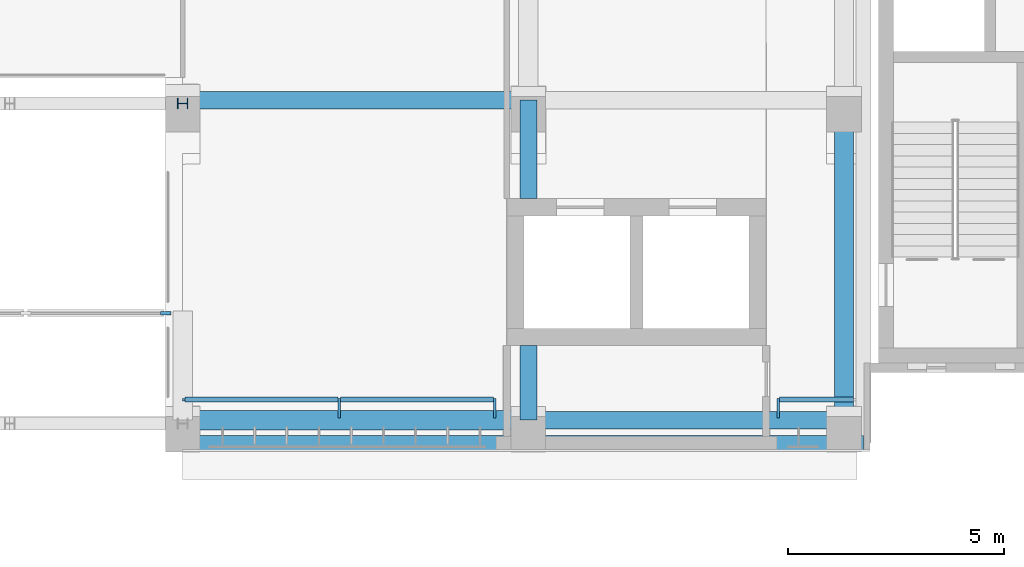
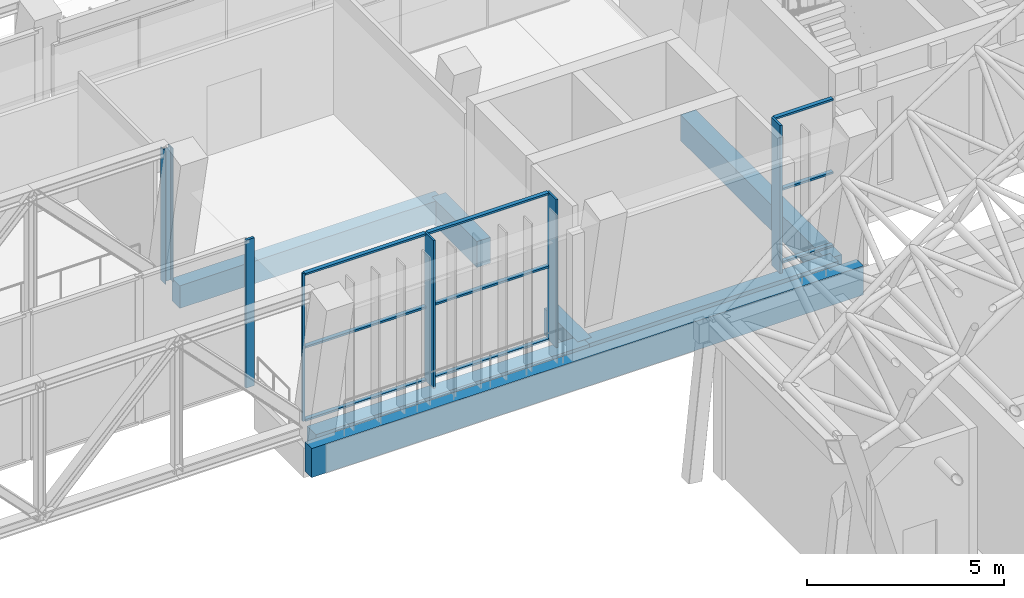
# One storey, part 54 of 141: 15 members, 7 beams, 3 elements without a shape of their own.
"""IFC4 building model written with IfcOpenShell, lengths in metres."""

from ifc_helpers import new_model, si_unit, direction, frame, origin, origin_2d, place, context, subcontext, project, spatial, rectangle, i_section, extrude, material, material_profile, profile_set, type_object, element, aggregate, save


model = new_model("IFC4")

# Units and contexts
model_context = context("Model", 3, precision=1e-05, world=origin(), true_north=direction((0.0, 1.0)))
body_context = subcontext(model_context, "Body", "Model", "MODEL_VIEW")
ifc_project = project(units=[si_unit("LENGTHUNIT", "METRE"), si_unit("AREAUNIT", "SQUARE_METRE"), si_unit("VOLUMEUNIT", "CUBIC_METRE"), si_unit("PLANEANGLEUNIT", "RADIAN"), si_unit("MASSUNIT", "GRAM", prefix="KILO")], contexts=[model_context])

# Site, building, storey
site_placement = place(None, origin())
site = spatial("IfcSite", under=ifc_project, at=site_placement, CompositionType="ELEMENT")
building_placement = place(site_placement, origin())
building = spatial("IfcBuilding", under=site, at=building_placement, Name="Lantern Court Media Centre", CompositionType="ELEMENT")
storey_placement = place(building_placement, frame((0.0, 0.0, 9.60009765625)))
storey = spatial("IfcBuildingStorey", under=building, at=storey_placement, Name="L02", CompositionType="ELEMENT", Elevation=9.60009765625)

# Curtain wall, members
ifc_material_1 = material(Name="Curtain wall bay 3000")
curtain_wall_type_1 = type_object("IfcCurtainWallType", Name="Curtain wall bay 3000", PredefinedType="NOTDEFINED", material=ifc_material_1)
curtain_wall_1_placement = place(storey_placement, origin())
curtain_wall_1 = element("IfcCurtainWall", 1, at=curtain_wall_1_placement, inside=storey, type_object=curtain_wall_type_1, Name="Curtain wall S outer L02", PredefinedType="NOTDEFINED")
ifc_material_2 = material(Name="Anodised aluminium", Category="aluminium")
ifc_material_profile_1 = material_profile(ifc_material_2, rectangle(XDim=0.449951171875, YDim=0.06005859375, at=origin_2d()), Name="AL 60x450")
ifc_profile_set_1 = profile_set([ifc_material_profile_1], Name="Anodised aluminium")
member_type_1 = type_object("IfcMemberType", Name="Curtain wall mullion 60x450", PredefinedType="MULLION", material=ifc_profile_set_1)
member_1_placement = place(storey_placement, frame((67.625, 46.955078125, 0.0), z_axis=(0.0, 0.0, 1.0), x_axis=(0.0, 1.0, 0.0)))
member_1 = element("IfcMember", 2, at=member_1_placement, type_object=member_type_1, Name="CW1 mullion 2", PredefinedType="MULLION", context=body_context, shape_type="SweptSolid", body=[
    extrude(rectangle(XDim=0.449951171875, YDim=0.06005859375, at=origin_2d()), origin(), (0.0, 0.0, 1.0), 4.579833984375),
])
member_2_placement = place(storey_placement, frame((71.219970703125, 46.955078125, 0.0), z_axis=(0.0, 0.0, 1.0), x_axis=(0.0, 1.0, 0.0)))
member_2 = element("IfcMember", 3, at=member_2_placement, type_object=member_type_1, Name="CW1 mullion 3", PredefinedType="MULLION", context=body_context, shape_type="SweptSolid", body=[
    extrude(rectangle(XDim=0.449951171875, YDim=0.06005859375, at=origin_2d()), origin(), (0.0, 0.0, 1.0), 4.579833984375),
])

# Curtain wall, member
curtain_wall_2_placement = place(storey_placement, origin())
curtain_wall_2 = element("IfcCurtainWall", 4, at=curtain_wall_2_placement, inside=storey, type_object=curtain_wall_type_1, Name="Curtain wall S outer L02", PredefinedType="NOTDEFINED")
member_3_placement = place(storey_placement, frame((77.780029296875, 46.955078125, 0.0), z_axis=(0.0, 0.0, 1.0), x_axis=(0.0, 1.0, 0.0)))
member_3 = element("IfcMember", 5, at=member_3_placement, type_object=member_type_1, Name="CW1 mullion 1", PredefinedType="MULLION", context=body_context, shape_type="SweptSolid", body=[
    extrude(rectangle(XDim=0.449951171875, YDim=0.06005859375, at=origin_2d()), origin(), (0.0, 0.0, 1.0), 4.579833984375),
])

# Member
ifc_material_profile_2 = material_profile(ifc_material_2, rectangle(XDim=0.06005859375, YDim=0.06005859375, at=origin_2d()), Name="AL 60x60")
ifc_profile_set_2 = profile_set([ifc_material_profile_2], Name="Anodised aluminium")
member_type_2 = type_object("IfcMemberType", Name="Curtain wall mullion 60x60", PredefinedType="MULLION", material=ifc_profile_set_2)
member_4_placement = place(storey_placement, frame((64.030029296875, 47.14990234375, 0.0), z_axis=(0.0, 0.0, 1.0), x_axis=(0.0, 1.0, 0.0)))
member_4 = element("IfcMember", 6, at=member_4_placement, type_object=member_type_2, Name="CW1 mullion 1", PredefinedType="MULLION", context=body_context, shape_type="SweptSolid", body=[
    extrude(rectangle(XDim=0.06005859375, YDim=0.06005859375, at=origin_2d()), origin(), (0.0, 0.0, 1.0), 4.579833984375),
])

# Curtain wall, member
ifc_material_3 = material(Name="Curtain wall bay 4000")
curtain_wall_type_2 = type_object("IfcCurtainWallType", Name="Curtain wall bay 4000", PredefinedType="NOTDEFINED", material=ifc_material_3)
curtain_wall_3_placement = place(storey_placement, origin())
curtain_wall_3 = element("IfcCurtainWall", 7, at=curtain_wall_3_placement, inside=storey, type_object=curtain_wall_type_2, Name="Curtain wall S outer L02", PredefinedType="NOTDEFINED")
ifc_material_profile_3 = material_profile(ifc_material_2, rectangle(XDim=0.080078125, YDim=0.239990234375, at=origin_2d()), Name="AL 80x240")
ifc_profile_set_3 = profile_set([ifc_material_profile_3], Name="Anodised aluminium")
member_type_3 = type_object("IfcMemberType", Name="Curtain wall mullion 80x240", PredefinedType="MULLION", material=ifc_profile_set_3)
member_5_placement = place(storey_placement, frame((63.610107421875, 49.14990234375, 0.0), z_axis=(0.0, 0.0, 1.0), x_axis=(0.0, 1.0, 0.0)))
member_5 = element("IfcMember", 8, at=member_5_placement, type_object=member_type_3, Name="CW3 mullion 3", PredefinedType="MULLION", context=body_context, shape_type="SweptSolid", body=[
    extrude(rectangle(XDim=0.080078125, YDim=0.239990234375, at=origin_2d()), origin(), (0.0, 0.0, 1.0), 4.579833984375),
])
aggregate(curtain_wall_3, [member_5])

# Member
ifc_material_profile_4 = material_profile(ifc_material_2, rectangle(XDim=0.1201171875, YDim=0.06005859375, at=origin_2d()), Name="AL 60x120")
ifc_profile_set_4 = profile_set([ifc_material_profile_4], Name="Anodised aluminium")
member_type_4 = type_object("IfcMemberType", Name="Curtain wall transom 60x120", PredefinedType="USERDEFINED", material=ifc_profile_set_4)
member_6_placement = place(storey_placement, frame((64.06005859375, 47.14990234375, 0.02978515625), z_axis=(1.0, 0.0, 0.0), x_axis=(0.0, 1.0, 0.0)))
member_6 = element("IfcMember", 9, at=member_6_placement, type_object=member_type_4, Name="CW1 transom 1.1", ObjectType="TRANSOM", PredefinedType="USERDEFINED", context=body_context, shape_type="SweptSolid", body=[
    extrude(rectangle(XDim=0.1201171875, YDim=0.06005859375, at=origin_2d()), origin(), (0.0, 0.0, 1.0), 3.534912109375),
])

member_7_placement = place(storey_placement, frame((64.06005859375, 47.14990234375, 2.289794921875), z_axis=(1.0, 0.0, 0.0), x_axis=(0.0, 1.0, 0.0)))
member_7 = element("IfcMember", 10, at=member_7_placement, type_object=member_type_4, Name="CW1 transom 1.2", ObjectType="TRANSOM", PredefinedType="USERDEFINED", context=body_context, shape_type="SweptSolid", body=[
    extrude(rectangle(XDim=0.1201171875, YDim=0.06005859375, at=origin_2d()), origin(), (0.0, 0.0, 1.0), 3.534912109375),
])

member_8_placement = place(storey_placement, frame((64.06005859375, 47.14990234375, 4.5498046875), z_axis=(1.0, 0.0, 0.0), x_axis=(0.0, 1.0, 0.0)))
member_8 = element("IfcMember", 11, at=member_8_placement, type_object=member_type_4, Name="CW1 transom 1.3", ObjectType="TRANSOM", PredefinedType="USERDEFINED", context=body_context, shape_type="SweptSolid", body=[
    extrude(rectangle(XDim=0.1201171875, YDim=0.06005859375, at=origin_2d()), origin(), (0.0, 0.0, 1.0), 3.534912109375),
])

member_9_placement = place(storey_placement, frame((67.655029296875, 47.14990234375, 0.02978515625), z_axis=(1.0, 0.0, 0.0), x_axis=(0.0, 1.0, 0.0)))
member_9 = element("IfcMember", 12, at=member_9_placement, type_object=member_type_4, Name="CW1 transom 2.1", ObjectType="TRANSOM", PredefinedType="USERDEFINED", context=body_context, shape_type="SweptSolid", body=[
    extrude(rectangle(XDim=0.1201171875, YDim=0.06005859375, at=origin_2d()), origin(), (0.0, 0.0, 1.0), 3.534912109375),
])

member_10_placement = place(storey_placement, frame((67.655029296875, 47.14990234375, 2.289794921875), z_axis=(1.0, 0.0, 0.0), x_axis=(0.0, 1.0, 0.0)))
member_10 = element("IfcMember", 13, at=member_10_placement, type_object=member_type_4, Name="CW1 transom 2.2", ObjectType="TRANSOM", PredefinedType="USERDEFINED", context=body_context, shape_type="SweptSolid", body=[
    extrude(rectangle(XDim=0.1201171875, YDim=0.06005859375, at=origin_2d()), origin(), (0.0, 0.0, 1.0), 3.534912109375),
])

member_11_placement = place(storey_placement, frame((67.655029296875, 47.14990234375, 4.5498046875), z_axis=(1.0, 0.0, 0.0), x_axis=(0.0, 1.0, 0.0)))
member_11 = element("IfcMember", 14, at=member_11_placement, type_object=member_type_4, Name="CW1 transom 2.3", ObjectType="TRANSOM", PredefinedType="USERDEFINED", context=body_context, shape_type="SweptSolid", body=[
    extrude(rectangle(XDim=0.1201171875, YDim=0.06005859375, at=origin_2d()), origin(), (0.0, 0.0, 1.0), 3.534912109375),
])

aggregate(curtain_wall_1, [member_4, member_1, member_2, member_6, member_7, member_8, member_9, member_10, member_11])

member_12_placement = place(storey_placement, frame((77.81005859375, 47.14990234375, 0.02978515625), z_axis=(1.0, 0.0, 0.0), x_axis=(0.0, 1.0, 0.0)))
member_12 = element("IfcMember", 15, at=member_12_placement, type_object=member_type_4, Name="CW1 transom 1.1", ObjectType="TRANSOM", PredefinedType="USERDEFINED", context=body_context, shape_type="SweptSolid", body=[
    extrude(rectangle(XDim=0.1201171875, YDim=0.06005859375, at=origin_2d()), origin(), (0.0, 0.0, 1.0), 1.7099609375),
])

member_13_placement = place(storey_placement, frame((77.81005859375, 47.14990234375, 2.289794921875), z_axis=(1.0, 0.0, 0.0), x_axis=(0.0, 1.0, 0.0)))
member_13 = element("IfcMember", 16, at=member_13_placement, type_object=member_type_4, Name="CW1 transom 1.2", ObjectType="TRANSOM", PredefinedType="USERDEFINED", context=body_context, shape_type="SweptSolid", body=[
    extrude(rectangle(XDim=0.1201171875, YDim=0.06005859375, at=origin_2d()), origin(), (0.0, 0.0, 1.0), 1.7099609375),
])

member_14_placement = place(storey_placement, frame((77.81005859375, 47.14990234375, 4.5498046875), z_axis=(1.0, 0.0, 0.0), x_axis=(0.0, 1.0, 0.0)))
member_14 = element("IfcMember", 17, at=member_14_placement, type_object=member_type_4, Name="CW1 transom 1.3", ObjectType="TRANSOM", PredefinedType="USERDEFINED", context=body_context, shape_type="SweptSolid", body=[
    extrude(rectangle(XDim=0.1201171875, YDim=0.06005859375, at=origin_2d()), origin(), (0.0, 0.0, 1.0), 1.7099609375),
])

aggregate(curtain_wall_2, [member_3, member_12, member_13, member_14])

ifc_material_4 = material(Name="Steel S355J2 (EN 10025-2)", Category="steel")
ifc_material_profile_5 = material_profile(ifc_material_4, i_section(OverallWidth=0.239990234375, OverallDepth=0.239990234375, WebThickness=0.010009765625, FlangeThickness=0.01708984375, FilletRadius=0.02099609375, at=origin_2d()), Name="HEB 240")
ifc_profile_set_5 = profile_set([ifc_material_profile_5], Name="Steel S355J2 (EN 10025-2)")
member_type_5 = type_object("IfcMemberType", Name="Entrance transfer truss vertical HEB 240", PredefinedType="POST", material=ifc_profile_set_5)
member_15_placement = place(storey_placement, frame((64.0, 54.0, 0.1884765625), z_axis=(0.0, 0.0, 1.0), x_axis=(0.0, 1.0, 0.0)))
element("IfcMember", 18, at=member_15_placement, inside=storey, type_object=member_type_5, Name="Transfer truss 2 vertical 7", PredefinedType="POST", context=body_context, shape_type="SweptSolid", body=[
    extrude(i_section(OverallWidth=0.239990234375, OverallDepth=0.239990234375, WebThickness=0.010009765625, FlangeThickness=0.01708984375, FilletRadius=0.02099609375, at=origin_2d()), origin(), (0.0, 0.0, 1.0), 4.123046875),
])

# Beams
ifc_material_5 = material(Name="Concrete C35", Category="concrete")
ifc_material_profile_6 = material_profile(ifc_material_5, rectangle(XDim=0.35009765625, YDim=0.89990234375, at=origin_2d()), Name="RC 350x900")
ifc_profile_set_6 = profile_set([ifc_material_profile_6], Name="Concrete C35")
beam_type_1 = type_object("IfcBeamType", Name="RC BEAM 350x900", PredefinedType="BEAM", material=ifc_profile_set_6)
beam_1_placement = place(storey_placement, frame((63.60009765625, 46.14990234375, -0.4501953125), z_axis=(1.0, 0.0, 0.0), x_axis=(0.0, 1.0, 0.0)))
element("IfcBeam", 19, at=beam_1_placement, inside=storey, type_object=beam_type_1, Name="EB-S-L02-A1", PredefinedType="BEAM", context=body_context, shape_type="SweptSolid", body=[
    extrude(rectangle(XDim=0.35009765625, YDim=0.89990234375, at=origin_2d()), origin(), (0.0, 0.0, 1.0), 16.14990234375),
])
ifc_material_profile_7 = material_profile(ifc_material_5, rectangle(XDim=0.39990234375, YDim=0.699951171875, at=origin_2d()), Name="RC 400x700")
ifc_profile_set_7 = profile_set([ifc_material_profile_7], Name="Concrete C35")
beam_type_2 = type_object("IfcBeamType", Name="RC BEAM 400x700", PredefinedType="BEAM", material=ifc_profile_set_7)
beam_2_placement = place(storey_placement, frame((72.0, 46.6728515625, -0.35009765625), z_axis=(1.0, 0.0, 0.0), x_axis=(0.0, 1.0, 0.0)))
element("IfcBeam", 20, at=beam_2_placement, inside=storey, type_object=beam_type_2, Name="LB-S-L02-0-6", PredefinedType="BEAM", context=body_context, shape_type="SweptSolid", body=[
    extrude(rectangle(XDim=0.39990234375, YDim=0.699951171875, at=origin_2d()), origin(), (0.0, 0.0, 1.0), 7.300048828125),
])
beam_3_placement = place(storey_placement, frame((64.300048828125, 54.072998046875, -0.35009765625), z_axis=(1.0, 0.0, 0.0), x_axis=(0.0, 1.0, 0.0)))
element("IfcBeam", 21, at=beam_3_placement, inside=storey, type_object=beam_type_2, Name="LB-S-L02-1-11", PredefinedType="BEAM", context=body_context, shape_type="SweptSolid", body=[
    extrude(rectangle(XDim=0.39990234375, YDim=0.699951171875, at=origin_2d()), origin(), (0.0, 0.0, 1.0), 7.699951171875),
])
ifc_material_profile_8 = material_profile(ifc_material_5, rectangle(XDim=0.39990234375, YDim=0.800048828125, at=origin_2d()), Name="RC 400x800")
ifc_profile_set_8 = profile_set([ifc_material_profile_8], Name="Concrete C35")
beam_type_3 = type_object("IfcBeamType", Name="RC BEAM 400x800", PredefinedType="BEAM", material=ifc_profile_set_8)
beam_4_placement = place(storey_placement, frame((72.0, 46.683349609375, -0.400146484375), z_axis=(0.0, 1.0, 0.0), x_axis=(-1.0, 0.0, 0.0)))
element("IfcBeam", 22, at=beam_4_placement, inside=storey, type_object=beam_type_3, Name="TB-S-L02-6-1", PredefinedType="BEAM", context=body_context, shape_type="SweptSolid", body=[
    extrude(rectangle(XDim=0.39990234375, YDim=0.800048828125, at=origin_2d()), origin(), (0.0, 0.0, 1.0), 1.716552734375),
])
beam_5_placement = place(storey_placement, frame((72.0, 51.800048828125, -0.400146484375), z_axis=(0.0, 1.0, 0.0), x_axis=(-1.0, 0.0, 0.0)))
element("IfcBeam", 23, at=beam_5_placement, inside=storey, type_object=beam_type_3, Name="TB-S-L02-6-11", PredefinedType="BEAM", context=body_context, shape_type="SweptSolid", body=[
    extrude(rectangle(XDim=0.39990234375, YDim=0.800048828125, at=origin_2d()), origin(), (0.0, 0.0, 1.0), 2.283203125),
])
ifc_material_profile_9 = material_profile(ifc_material_5, rectangle(XDim=0.449951171875, YDim=0.699951171875, at=origin_2d()), Name="RC 450x700")
ifc_profile_set_9 = profile_set([ifc_material_profile_9], Name="Concrete C35")
beam_type_4 = type_object("IfcBeamType", Name="RC BEAM 450x700", PredefinedType="BEAM", material=ifc_profile_set_9)
beam_6_placement = place(storey_placement, frame((64.0, 46.6728515625, -0.35009765625), z_axis=(1.0, 0.0, 0.0), x_axis=(0.0, 1.0, 0.0)))
element("IfcBeam", 24, at=beam_6_placement, inside=storey, type_object=beam_type_4, Name="LB-S-L02-0-5", PredefinedType="BEAM", context=body_context, shape_type="SweptSolid", body=[
    extrude(rectangle(XDim=0.449951171875, YDim=0.699951171875, at=origin_2d()), origin(), (0.0, 0.0, 1.0), 8.0),
])
ifc_material_profile_10 = material_profile(ifc_material_5, rectangle(XDim=0.449951171875, YDim=0.800048828125, at=origin_2d()), Name="RC 450x800")
ifc_profile_set_10 = profile_set([ifc_material_profile_10], Name="Concrete C35")
beam_type_5 = type_object("IfcBeamType", Name="RC BEAM 450x800", PredefinedType="BEAM", material=ifc_profile_set_10)
beam_7_placement = place(storey_placement, frame((79.300048828125, 46.683349609375, -0.400146484375), z_axis=(0.0, 1.0, 0.0), x_axis=(-1.0, 0.0, 0.0)))
element("IfcBeam", 25, at=beam_7_placement, inside=storey, type_object=beam_type_5, Name="TB-S-L02-7-1", PredefinedType="BEAM", context=body_context, shape_type="SweptSolid", body=[
    extrude(rectangle(XDim=0.449951171875, YDim=0.800048828125, at=origin_2d()), origin(), (0.0, 0.0, 1.0), 7.39990234375),
])

save(model, "model.ifc")
